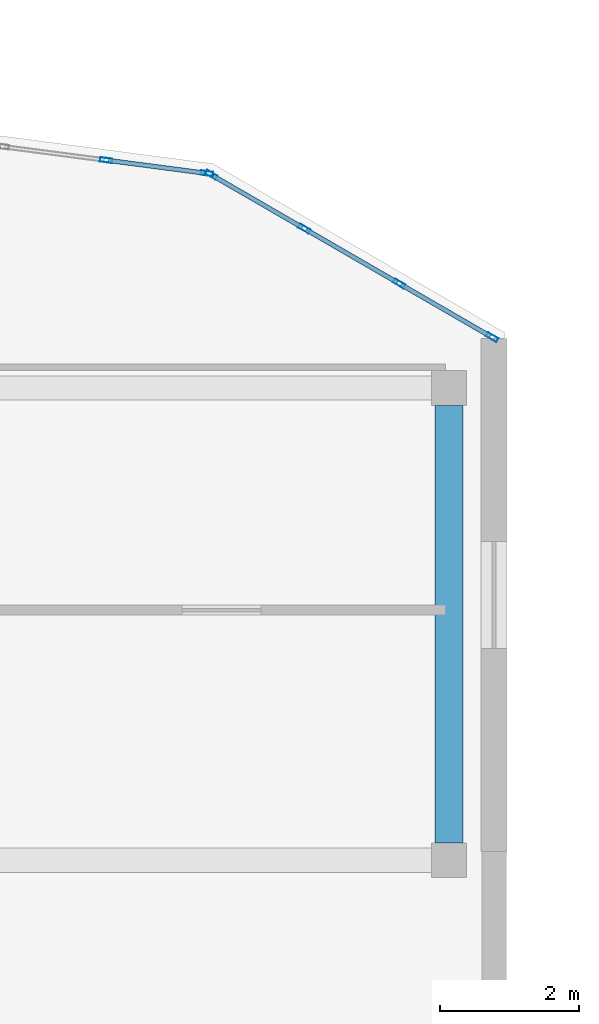
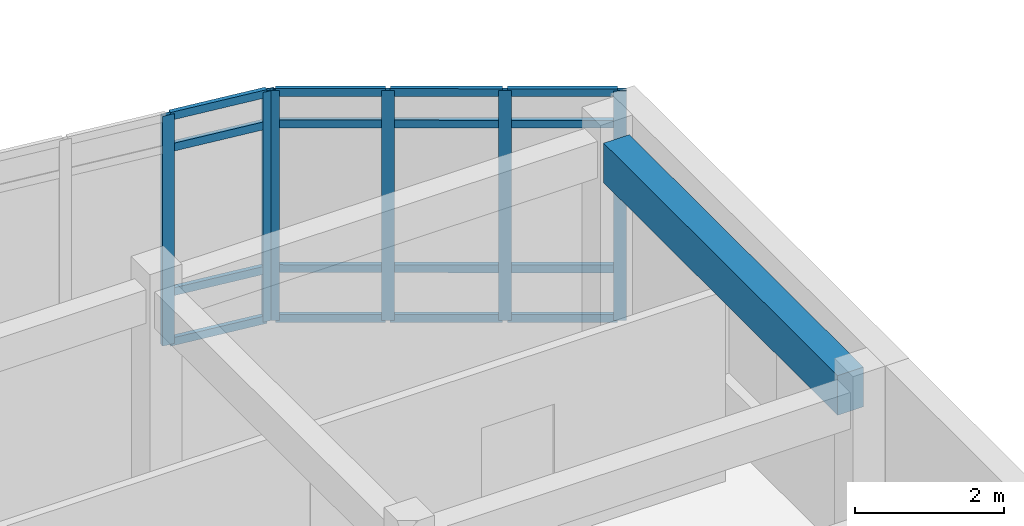
# One storey, part 26 of 52: 22 members, 1 beam, 2 elements without a shape of their own.
"""IFC4 building model written with IfcOpenShell, lengths in metres."""

from ifc_helpers import new_model, si_unit, direction, frame, origin, origin_2d, place, context, subcontext, project, spatial, rectangle, hollow_rectangle, extrude, material, layer, layer_set, material_profile, profile_set, type_object, element, aggregate, save


model = new_model("IFC4")

# Units and contexts
model_context = context("Model", 3, precision=1e-05, world=origin(), true_north=direction((0.0, 1.0)))
body_context = subcontext(model_context, "Body", "Model", "MODEL_VIEW")
ifc_project = project(units=[si_unit("LENGTHUNIT", "METRE"), si_unit("AREAUNIT", "SQUARE_METRE"), si_unit("VOLUMEUNIT", "CUBIC_METRE"), si_unit("PLANEANGLEUNIT", "RADIAN"), si_unit("MASSUNIT", "GRAM", prefix="KILO")], contexts=[model_context])

# Site, building, storey
site_placement = place(None, origin())
site = spatial("IfcSite", under=ifc_project, at=site_placement, CompositionType="ELEMENT")
building_placement = place(site_placement, origin())
building = spatial("IfcBuilding", under=site, at=building_placement, Name="Valcora Specialist Clinic", CompositionType="ELEMENT")
storey_placement = place(building_placement, frame((0.0, 0.0, 17.679931640625)))
storey = spatial("IfcBuildingStorey", under=building, at=storey_placement, Name="L04", CompositionType="ELEMENT", Elevation=17.679931640625)

# Beam
ifc_material_1 = material(Name="Concrete C40/50", Category="concrete")
ifc_material_profile_1 = material_profile(ifc_material_1, rectangle(XDim=0.39990234375, YDim=0.64990234375, at=origin_2d()), Name="RC-BM-400X650")
ifc_profile_set_1 = profile_set([ifc_material_profile_1], Name="Concrete C40/50")
beam_type = type_object("IfcBeamType", Name="TY-BM-RC400X650", PredefinedType="BEAM", material=ifc_profile_set_1)
beam_placement = place(storey_placement, frame((99.39990234375, 15.449951171875, 3.449951171875), z_axis=(0.0, 1.0, 0.0), x_axis=(-1.0, 0.0, 0.0)))
element("IfcBeam", 1, at=beam_placement, inside=storey, type_object=beam_type, Name="Beam BM-L04-1495", PredefinedType="BEAM", context=body_context, shape_type="SweptSolid", body=[
    extrude(rectangle(XDim=0.39990234375, YDim=0.64990234375, at=origin_2d()), origin(), (0.0, 0.0, 1.0), 6.300048828125),
])

# Curtain wall, members
ifc_material_2 = material(Name="Anodized Bronze Aluminium 6063-T6", Category="aluminium")
ifc_layer = layer(ifc_material_2, 0.175048828125)
ifc_layer_set = layer_set([ifc_layer], Name="Anodized Bronze Aluminium 6063-T6")
curtain_wall_type = type_object("IfcCurtainWallType", Name="TY-CW-ARC40", PredefinedType="NOTDEFINED", material=ifc_layer_set)
curtain_wall_1_placement = place(storey_placement, origin())
curtain_wall_1 = element("IfcCurtainWall", 2, at=curtain_wall_1_placement, inside=storey, type_object=curtain_wall_type, Name="Curtain wall CW-L04-223", PredefinedType="NOTDEFINED")
ifc_material_profile_2 = material_profile(ifc_material_2, hollow_rectangle(XDim=0.06494140625, YDim=0.175048828125, WallThickness=0.00390625, at=origin_2d()), Name="AL-MUL-65X175")
ifc_profile_set_2 = profile_set([ifc_material_profile_2], Name="Anodized Bronze Aluminium 6063-T6")
member_type_1 = type_object("IfcMemberType", Name="TY-CWM-65X175", PredefinedType="MULLION", material=ifc_profile_set_2)
member_1_placement = place(storey_placement, frame((94.462890625, 25.2802734375, 0.0), z_axis=(0.0, 0.0, 1.0), x_axis=(0.129986783286, 0.991515726638, 0.0)))
member_1 = element("IfcMember", 3, at=member_1_placement, type_object=member_type_1, Name="CW-ARC-40 mullion 3", PredefinedType="MULLION", context=body_context, shape_type="SweptSolid", body=[
    extrude(hollow_rectangle(XDim=0.06494140625, YDim=0.175048828125, WallThickness=0.00390625, at=origin_2d()), origin(), (0.0, 0.0, 1.0), 3.775146484375),
])
member_2_placement = place(storey_placement, frame((95.91845703125, 25.08935546875, 0.0), z_axis=(0.0, 0.0, 1.0), x_axis=(0.129986783286, 0.991515726638, 0.0)))
member_2 = element("IfcMember", 4, at=member_2_placement, type_object=member_type_1, Name="CW-ARC-40 mullion 4", PredefinedType="MULLION", context=body_context, shape_type="SweptSolid", body=[
    extrude(hollow_rectangle(XDim=0.06494140625, YDim=0.175048828125, WallThickness=0.00390625, at=origin_2d()), origin(), (0.0, 0.0, 1.0), 3.775146484375),
])

curtain_wall_2_placement = place(storey_placement, origin())
curtain_wall_2 = element("IfcCurtainWall", 5, at=curtain_wall_2_placement, inside=storey, type_object=curtain_wall_type, Name="Curtain wall CW-L04-224", PredefinedType="NOTDEFINED")
member_3_placement = place(storey_placement, frame((95.97900390625, 25.06884765625, 0.0), z_axis=(0.0, 0.0, 1.0), x_axis=(0.500795701257, 0.865565517799, 0.0)))
member_3 = element("IfcMember", 6, at=member_3_placement, type_object=member_type_1, Name="CW-ARC-40 mullion 1", PredefinedType="MULLION", context=body_context, shape_type="SweptSolid", body=[
    extrude(hollow_rectangle(XDim=0.06494140625, YDim=0.175048828125, WallThickness=0.00390625, at=origin_2d()), origin(), (0.0, 0.0, 1.0), 3.775146484375),
])
member_4_placement = place(storey_placement, frame((97.317138671875, 24.294677734375, 0.0), z_axis=(0.0, 0.0, 1.0), x_axis=(0.500795701257, 0.865565517799, 0.0)))
member_4 = element("IfcMember", 7, at=member_4_placement, type_object=member_type_1, Name="CW-ARC-40 mullion 2", PredefinedType="MULLION", context=body_context, shape_type="SweptSolid", body=[
    extrude(hollow_rectangle(XDim=0.06494140625, YDim=0.175048828125, WallThickness=0.00390625, at=origin_2d()), origin(), (0.0, 0.0, 1.0), 3.775146484375),
])
member_5_placement = place(storey_placement, frame((98.68359375, 23.504150390625, 0.0), z_axis=(0.0, 0.0, 1.0), x_axis=(0.500795701257, 0.865565517799, 0.0)))
member_5 = element("IfcMember", 8, at=member_5_placement, type_object=member_type_1, Name="CW-ARC-40 mullion 3", PredefinedType="MULLION", context=body_context, shape_type="SweptSolid", body=[
    extrude(hollow_rectangle(XDim=0.06494140625, YDim=0.175048828125, WallThickness=0.00390625, at=origin_2d()), origin(), (0.0, 0.0, 1.0), 3.775146484375),
])
member_6_placement = place(storey_placement, frame((100.02197265625, 22.729736328125, 0.0), z_axis=(0.0, 0.0, 1.0), x_axis=(0.500795701257, 0.865565517799, 0.0)))
member_6 = element("IfcMember", 9, at=member_6_placement, type_object=member_type_1, Name="CW-ARC-40 mullion 4", PredefinedType="MULLION", context=body_context, shape_type="SweptSolid", body=[
    extrude(hollow_rectangle(XDim=0.06494140625, YDim=0.175048828125, WallThickness=0.00390625, at=origin_2d()), origin(), (0.0, 0.0, 1.0), 3.775146484375),
])

# Member
ifc_material_profile_3 = material_profile(ifc_material_2, hollow_rectangle(XDim=0.06494140625, YDim=0.1298828125, WallThickness=0.00390625, at=origin_2d()), Name="AL-TRN-65X130")
ifc_profile_set_3 = profile_set([ifc_material_profile_3], Name="Anodized Bronze Aluminium 6063-T6")
member_type_2 = type_object("IfcMemberType", Name="TY-CWT-65X130", PredefinedType="USERDEFINED", material=ifc_profile_set_3)
member_7_placement = place(storey_placement, frame((94.4951171875, 25.276123046875, 0.032470703125), z_axis=(0.991515781905, -0.12998636172, 0.0), x_axis=(0.12998636172, 0.991515781905, 0.0)))
member_7 = element("IfcMember", 10, at=member_7_placement, type_object=member_type_2, Name="CW-ARC-40 transom 3.1", ObjectType="TRANSOM", PredefinedType="USERDEFINED", context=body_context, shape_type="SweptSolid", body=[
    extrude(hollow_rectangle(XDim=0.06494140625, YDim=0.1298828125, WallThickness=0.00390625, at=origin_2d()), origin(), (0.0, 0.0, 1.0), 1.403076171875),
])

member_8_placement = place(storey_placement, frame((94.4951171875, 25.276123046875, 0.85009765625), z_axis=(0.991515781905, -0.12998636172, 0.0), x_axis=(0.12998636172, 0.991515781905, 0.0)))
member_8 = element("IfcMember", 11, at=member_8_placement, type_object=member_type_2, Name="CW-ARC-40 transom 3.2", ObjectType="TRANSOM", PredefinedType="USERDEFINED", context=body_context, shape_type="SweptSolid", body=[
    extrude(hollow_rectangle(XDim=0.06494140625, YDim=0.1298828125, WallThickness=0.00390625, at=origin_2d()), origin(), (0.0, 0.0, 1.0), 1.403076171875),
])

member_9_placement = place(storey_placement, frame((94.4951171875, 25.276123046875, 3.22509765625), z_axis=(0.991515781905, -0.12998636172, 0.0), x_axis=(0.12998636172, 0.991515781905, 0.0)))
member_9 = element("IfcMember", 12, at=member_9_placement, type_object=member_type_2, Name="CW-ARC-40 transom 3.3", ObjectType="TRANSOM", PredefinedType="USERDEFINED", context=body_context, shape_type="SweptSolid", body=[
    extrude(hollow_rectangle(XDim=0.06494140625, YDim=0.1298828125, WallThickness=0.00390625, at=origin_2d()), origin(), (0.0, 0.0, 1.0), 1.403076171875),
])

member_10_placement = place(storey_placement, frame((94.4951171875, 25.276123046875, 3.74267578125), z_axis=(0.991515781905, -0.12998636172, 0.0), x_axis=(0.12998636172, 0.991515781905, 0.0)))
member_10 = element("IfcMember", 13, at=member_10_placement, type_object=member_type_2, Name="CW-ARC-40 transom 3.4", ObjectType="TRANSOM", PredefinedType="USERDEFINED", context=body_context, shape_type="SweptSolid", body=[
    extrude(hollow_rectangle(XDim=0.06494140625, YDim=0.1298828125, WallThickness=0.00390625, at=origin_2d()), origin(), (0.0, 0.0, 1.0), 1.403076171875),
])

aggregate(curtain_wall_1, [member_1, member_2, member_7, member_8, member_9, member_10])

member_11_placement = place(storey_placement, frame((96.007080078125, 25.052734375, 0.032470703125), z_axis=(0.865501507525, -0.500906319057, 0.0), x_axis=(0.500906319057, 0.865501507525, 0.0)))
member_11 = element("IfcMember", 14, at=member_11_placement, type_object=member_type_2, Name="CW-ARC-40 transom 1.1", ObjectType="TRANSOM", PredefinedType="USERDEFINED", context=body_context, shape_type="SweptSolid", body=[
    extrude(hollow_rectangle(XDim=0.06494140625, YDim=0.1298828125, WallThickness=0.00390625, at=origin_2d()), origin(), (0.0, 0.0, 1.0), 1.481201171875),
])

member_12_placement = place(storey_placement, frame((96.007080078125, 25.052734375, 0.85009765625), z_axis=(0.865501507525, -0.500906319057, 0.0), x_axis=(0.500906319057, 0.865501507525, 0.0)))
member_12 = element("IfcMember", 15, at=member_12_placement, type_object=member_type_2, Name="CW-ARC-40 transom 1.2", ObjectType="TRANSOM", PredefinedType="USERDEFINED", context=body_context, shape_type="SweptSolid", body=[
    extrude(hollow_rectangle(XDim=0.06494140625, YDim=0.1298828125, WallThickness=0.00390625, at=origin_2d()), origin(), (0.0, 0.0, 1.0), 1.481201171875),
])

member_13_placement = place(storey_placement, frame((96.007080078125, 25.052734375, 3.22509765625), z_axis=(0.865501507525, -0.500906319057, 0.0), x_axis=(0.500906319057, 0.865501507525, 0.0)))
member_13 = element("IfcMember", 16, at=member_13_placement, type_object=member_type_2, Name="CW-ARC-40 transom 1.3", ObjectType="TRANSOM", PredefinedType="USERDEFINED", context=body_context, shape_type="SweptSolid", body=[
    extrude(hollow_rectangle(XDim=0.06494140625, YDim=0.1298828125, WallThickness=0.00390625, at=origin_2d()), origin(), (0.0, 0.0, 1.0), 1.481201171875),
])

member_14_placement = place(storey_placement, frame((96.007080078125, 25.052734375, 3.74267578125), z_axis=(0.865501507525, -0.500906319057, 0.0), x_axis=(0.500906319057, 0.865501507525, 0.0)))
member_14 = element("IfcMember", 17, at=member_14_placement, type_object=member_type_2, Name="CW-ARC-40 transom 1.4", ObjectType="TRANSOM", PredefinedType="USERDEFINED", context=body_context, shape_type="SweptSolid", body=[
    extrude(hollow_rectangle(XDim=0.06494140625, YDim=0.1298828125, WallThickness=0.00390625, at=origin_2d()), origin(), (0.0, 0.0, 1.0), 1.481201171875),
])

member_15_placement = place(storey_placement, frame((97.34521484375, 24.2783203125, 0.032470703125), z_axis=(0.865580830579, -0.500769234013, 0.0), x_axis=(0.500769234013, 0.865580830579, 0.0)))
member_15 = element("IfcMember", 18, at=member_15_placement, type_object=member_type_2, Name="CW-ARC-40 transom 2.1", ObjectType="TRANSOM", PredefinedType="USERDEFINED", context=body_context, shape_type="SweptSolid", body=[
    extrude(hollow_rectangle(XDim=0.06494140625, YDim=0.1298828125, WallThickness=0.00390625, at=origin_2d()), origin(), (0.0, 0.0, 1.0), 1.513671875),
])

member_16_placement = place(storey_placement, frame((97.34521484375, 24.2783203125, 0.85009765625), z_axis=(0.865580830579, -0.500769234013, 0.0), x_axis=(0.500769234013, 0.865580830579, 0.0)))
member_16 = element("IfcMember", 19, at=member_16_placement, type_object=member_type_2, Name="CW-ARC-40 transom 2.2", ObjectType="TRANSOM", PredefinedType="USERDEFINED", context=body_context, shape_type="SweptSolid", body=[
    extrude(hollow_rectangle(XDim=0.06494140625, YDim=0.1298828125, WallThickness=0.00390625, at=origin_2d()), origin(), (0.0, 0.0, 1.0), 1.513671875),
])

member_17_placement = place(storey_placement, frame((97.34521484375, 24.2783203125, 3.22509765625), z_axis=(0.865580830579, -0.500769234013, 0.0), x_axis=(0.500769234013, 0.865580830579, 0.0)))
member_17 = element("IfcMember", 20, at=member_17_placement, type_object=member_type_2, Name="CW-ARC-40 transom 2.3", ObjectType="TRANSOM", PredefinedType="USERDEFINED", context=body_context, shape_type="SweptSolid", body=[
    extrude(hollow_rectangle(XDim=0.06494140625, YDim=0.1298828125, WallThickness=0.00390625, at=origin_2d()), origin(), (0.0, 0.0, 1.0), 1.513671875),
])

member_18_placement = place(storey_placement, frame((97.34521484375, 24.2783203125, 3.74267578125), z_axis=(0.865580830579, -0.500769234013, 0.0), x_axis=(0.500769234013, 0.865580830579, 0.0)))
member_18 = element("IfcMember", 21, at=member_18_placement, type_object=member_type_2, Name="CW-ARC-40 transom 2.4", ObjectType="TRANSOM", PredefinedType="USERDEFINED", context=body_context, shape_type="SweptSolid", body=[
    extrude(hollow_rectangle(XDim=0.06494140625, YDim=0.1298828125, WallThickness=0.00390625, at=origin_2d()), origin(), (0.0, 0.0, 1.0), 1.513671875),
])

member_19_placement = place(storey_placement, frame((98.711669921875, 23.48779296875, 0.032470703125), z_axis=(0.8655729625, -0.50078283376, 0.0), x_axis=(0.50078283376, 0.8655729625, 0.0)))
member_19 = element("IfcMember", 22, at=member_19_placement, type_object=member_type_2, Name="CW-ARC-40 transom 3.1", ObjectType="TRANSOM", PredefinedType="USERDEFINED", context=body_context, shape_type="SweptSolid", body=[
    extrude(hollow_rectangle(XDim=0.06494140625, YDim=0.1298828125, WallThickness=0.00390625, at=origin_2d()), origin(), (0.0, 0.0, 1.0), 1.481201171875),
])

member_20_placement = place(storey_placement, frame((98.711669921875, 23.48779296875, 0.85009765625), z_axis=(0.8655729625, -0.50078283376, 0.0), x_axis=(0.50078283376, 0.8655729625, 0.0)))
member_20 = element("IfcMember", 23, at=member_20_placement, type_object=member_type_2, Name="CW-ARC-40 transom 3.2", ObjectType="TRANSOM", PredefinedType="USERDEFINED", context=body_context, shape_type="SweptSolid", body=[
    extrude(hollow_rectangle(XDim=0.06494140625, YDim=0.1298828125, WallThickness=0.00390625, at=origin_2d()), origin(), (0.0, 0.0, 1.0), 1.481201171875),
])

member_21_placement = place(storey_placement, frame((98.711669921875, 23.48779296875, 3.22509765625), z_axis=(0.8655729625, -0.50078283376, 0.0), x_axis=(0.50078283376, 0.8655729625, 0.0)))
member_21 = element("IfcMember", 24, at=member_21_placement, type_object=member_type_2, Name="CW-ARC-40 transom 3.3", ObjectType="TRANSOM", PredefinedType="USERDEFINED", context=body_context, shape_type="SweptSolid", body=[
    extrude(hollow_rectangle(XDim=0.06494140625, YDim=0.1298828125, WallThickness=0.00390625, at=origin_2d()), origin(), (0.0, 0.0, 1.0), 1.481201171875),
])

member_22_placement = place(storey_placement, frame((98.711669921875, 23.48779296875, 3.74267578125), z_axis=(0.8655729625, -0.50078283376, 0.0), x_axis=(0.50078283376, 0.8655729625, 0.0)))
member_22 = element("IfcMember", 25, at=member_22_placement, type_object=member_type_2, Name="CW-ARC-40 transom 3.4", ObjectType="TRANSOM", PredefinedType="USERDEFINED", context=body_context, shape_type="SweptSolid", body=[
    extrude(hollow_rectangle(XDim=0.06494140625, YDim=0.1298828125, WallThickness=0.00390625, at=origin_2d()), origin(), (0.0, 0.0, 1.0), 1.481201171875),
])

aggregate(curtain_wall_2, [member_3, member_4, member_5, member_6, member_11, member_12, member_13, member_14, member_15, member_16, member_17, member_18, member_19, member_20, member_21, member_22])

save(model, "model.ifc")
